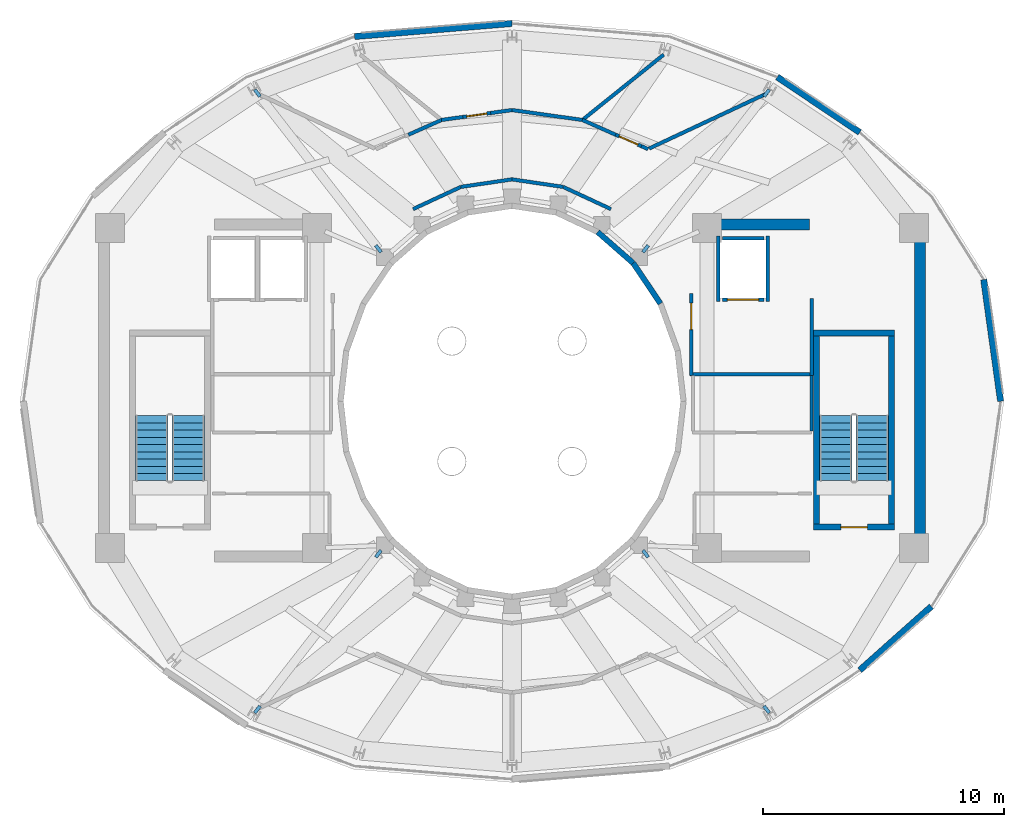
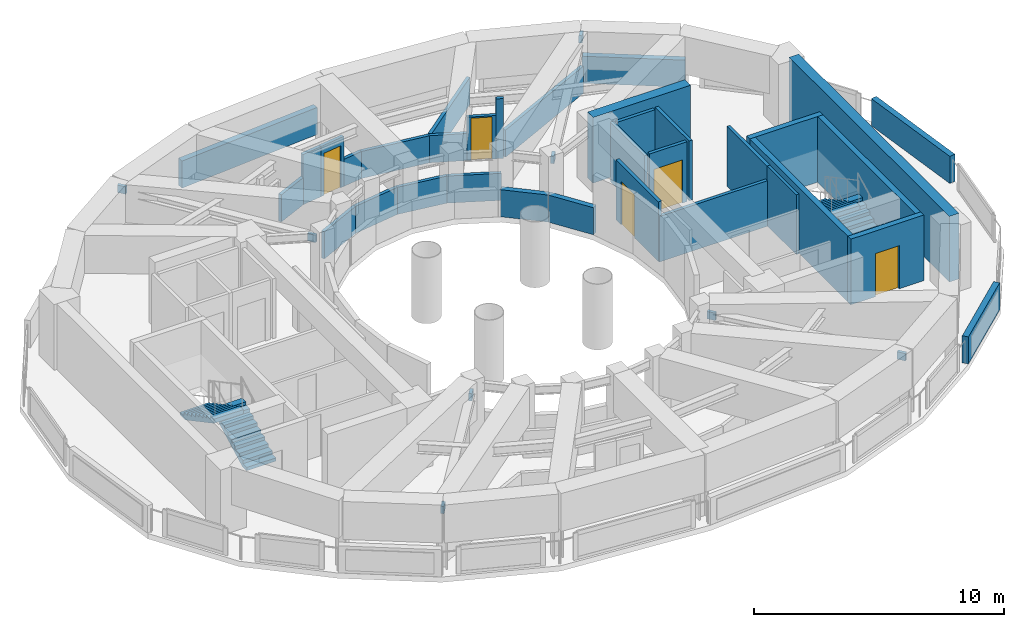
# One storey, part 14 of 17: 34 walls, 8 discrete accessories, 5 doors, 4 stair flights, 5 openings, 2 elements without a shape of their own.
"""IFC4 building model written with IfcOpenShell, lengths in metres."""

from ifc_helpers import new_model, si_unit, direction, frame, frame_2d, origin, origin_2d, place, context, subcontext, project, spatial, polyline, rectangle, outline, extrude, material, layer, layer_set, type_object, element, fill, aggregate, save


model = new_model("IFC4")

# Units and contexts
model_context = context("Model", 3, precision=1e-05, world=origin(), true_north=direction((0.0, 1.0)))
body_context = subcontext(model_context, "Body", "Model", "MODEL_VIEW")
ifc_project = project(units=[si_unit("LENGTHUNIT", "METRE"), si_unit("AREAUNIT", "SQUARE_METRE"), si_unit("VOLUMEUNIT", "CUBIC_METRE"), si_unit("PLANEANGLEUNIT", "RADIAN"), si_unit("MASSUNIT", "GRAM", prefix="KILO")], contexts=[model_context])

# Site, building, storey
site_placement = place(None, origin())
site = spatial("IfcSite", under=ifc_project, at=site_placement, CompositionType="ELEMENT")
building_placement = place(site_placement, origin())
building = spatial("IfcBuilding", under=site, at=building_placement, Name="Solvane Sanctuary Tower", CompositionType="ELEMENT")
storey_placement = place(building_placement, frame((0.0, 0.0, 273.199951171875)))
storey = spatial("IfcBuildingStorey", under=building, at=storey_placement, Name="L83", CompositionType="ELEMENT", Elevation=273.199951171875)

# Walls
ifc_material_1 = material(Name="Concrete C50/60", Category="concrete")
ifc_layer_1 = layer(ifc_material_1, 0.449951171875, Name="Concrete C50/60")
ifc_layer_set_1 = layer_set([ifc_layer_1], Name="Concrete C50/60")
wall_type_1 = type_object("IfcWallType", Name="Wall W-CORE-450", PredefinedType="SHEAR", material=ifc_layer_set_1)
wall_1_placement = place(storey_placement, frame((48.949951171875, 17.050048828125, 0.0), z_axis=(0.0, 0.0, 1.0), x_axis=(0.0, 1.0, 0.0)))
element("IfcWall", 1, at=wall_1_placement, inside=storey, type_object=wall_type_1, Name="L83 Core Shear Wall EC-E", PredefinedType="SHEAR", context=body_context, shape_type="SweptSolid", body=[
    extrude(rectangle(XDim=12.800048828125, YDim=0.449951171875, at=frame_2d((6.39990234375, 0.0))), origin(), (0.0, 0.0, 1.0), 3.199951171875),
])
wall_2_placement = place(storey_placement, frame((39.85009765625, 30.35009765625, 0.0), z_axis=(0.0, 0.0, 1.0), x_axis=(1.0, 0.0, 0.0)))
element("IfcWall", 2, at=wall_2_placement, inside=storey, type_object=wall_type_1, Name="L83 Core Shear Wall EC-N", PredefinedType="SHEAR", context=body_context, shape_type="SweptSolid", body=[
    extrude(rectangle(XDim=4.5, YDim=0.449951171875, at=frame_2d((2.25, 0.0))), origin(), (0.0, 0.0, 1.0), 3.199951171875),
])
ifc_material_2 = material(Name="Acoustic Gypsum Partition Board")
ifc_layer_2 = layer(ifc_material_2, 0.14990234375, Name="Acoustic Gypsum Partition Board")
ifc_layer_set_2 = layer_set([ifc_layer_2], Name="Acoustic Gypsum Partition Board")
wall_type_2 = type_object("IfcWallType", Name="Wall W-CORR-150", PredefinedType="PARTITIONING", material=ifc_layer_set_2)
wall_3_placement = place(storey_placement, frame((39.39990234375, 24.1201171875, 0.0), z_axis=(0.0, 0.0, 1.0), x_axis=(1.0, 0.0, 0.0)))
element("IfcWall", 3, at=wall_3_placement, inside=storey, type_object=wall_type_2, Name="L83 East Firefighting Lobby South Wall", PredefinedType="PARTITIONING", context=body_context, shape_type="SweptSolid", body=[
    extrude(rectangle(XDim=5.080078125, YDim=0.14990234375, at=frame_2d((2.5400390625, 0.0))), origin(), (0.0, 0.0, 1.0), 2.219970703125),
])
wall_4_placement = place(storey_placement, frame((44.449951171875, 24.080078125, 0.0), z_axis=(0.0, 0.0, 1.0), x_axis=(0.0, 1.0, 0.0)))
element("IfcWall", 4, at=wall_4_placement, inside=storey, type_object=wall_type_2, Name="L83 East Firefighting Lobby East Wall", PredefinedType="PARTITIONING", context=body_context, shape_type="SweptSolid", body=[
    extrude(rectangle(XDim=3.199951171875, YDim=0.14990234375, at=frame_2d((1.60009765625, 0.0))), origin(), (0.0, 0.0, 1.0), 2.9150390625),
])

# Wall, opening, door
wall_5_placement = place(storey_placement, frame((39.449951171875, 24.080078125, 0.0), z_axis=(0.0, 0.0, 1.0), x_axis=(0.0, 1.0, 0.0)))
wall_5 = element("IfcWall", 5, at=wall_5_placement, inside=storey, type_object=wall_type_2, Name="L83 East Firefighting Lobby West Wall", PredefinedType="PARTITIONING", context=body_context, shape_type="SweptSolid", body=[
    extrude(rectangle(XDim=3.39990234375, YDim=0.14990234375, at=frame_2d((1.699951171875, 0.0))), origin(), (0.0, 0.0, 1.0), 2.9150390625),
])
opening_1_placement = place(wall_5_placement, frame((1.893798828125, 0.0, 0.0)))
opening_1 = element("IfcOpeningElement", 6, at=opening_1_placement, cuts=wall_5, Name="Opening D-L83-04", PredefinedType="OPENING", context=body_context, shape_type="SweptSolid", body=[
    extrude(rectangle(XDim=1.10009765625, YDim=2.10009765625, at=frame_2d((0.550048828125, 1.050048828125))), frame((0.0, 0.0849609375, 0.0), z_axis=(0.0, -1.0, 0.0), x_axis=(1.0, 0.0, 0.0)), (0.0, 0.0, 1.0), 0.169921875),
])
ifc_material_3 = material(Name="Architectural Stainless Steel 316", Category="steel")
door_type_1 = type_object("IfcDoorType", Name="Door D-FFL", OperationType="NOTDEFINED", PredefinedType="DOOR", material=ifc_material_3)
door_1_placement = place(opening_1_placement, origin())
door_1 = element("IfcDoor", 7, at=door_1_placement, inside=storey, type_object=door_type_1, Name="L83 East Firefighting Lobby Fire Door", OperationType="SINGLE_SWING_RIGHT", OverallHeight=2.10009765625, OverallWidth=1.10009765625, PredefinedType="DOOR", context=body_context, shape_type="SweptSolid", body=[
    extrude(rectangle(XDim=1.10009765625, YDim=2.10009765625, at=frame_2d((0.550048828125, 1.050048828125))), frame((0.0, 0.02490234375, 0.0), z_axis=(0.0, -1.0, 0.0), x_axis=(1.0, 0.0, 0.0)), (0.0, 0.0, 1.0), 0.050048828125),
])
fill(opening_1, door_1)

# Walls
wall_6_placement = place(storey_placement, frame((36.110107421875, 30.98486328125, 0.0), z_axis=(0.0, 0.0, 1.0), x_axis=(-0.906943449489, 0.421252393975, 0.0)))
element("IfcWall", 8, at=wall_6_placement, inside=storey, type_object=wall_type_2, Name="L83 Light-Well Corridor Rim Wall N1", PredefinedType="PARTITIONING", context=body_context, shape_type="SweptSolid", body=[
    extrude(rectangle(XDim=2.18603515625, YDim=0.14990234375, at=frame_2d((1.093017578125, 0.0))), origin(), (0.0, 0.0, 1.0), 1.320068359375),
])
for number, where, z_axis, x_axis, name in (
    (9, (34.12744140625, 31.90576171875, 0.0), (0.0, 0.0, 1.0), (-0.989268584896, 0.146108408166, 0.0), "L83 Light-Well Corridor Rim Wall N2"),
    (10, (32.0, 32.219970703125, 0.0), (0.0, 0.0, 1.0), (-0.989268584896, -0.146108408166, 0.0), "L83 Light-Well Corridor Rim Wall N3"),
):
    element("IfcWall", number, at=place(storey_placement, frame(where, z_axis=z_axis, x_axis=x_axis)), inside=storey, type_object=wall_type_2, Name=name, PredefinedType="PARTITIONING", context=body_context, shape_type="SweptSolid", body=[
        extrude(rectangle(XDim=2.150634765625, YDim=0.14990234375, at=frame_2d((1.0751953125, 0.0))), origin(), (0.0, 0.0, 1.0), 1.320068359375),
    ])
wall_7_placement = place(storey_placement, frame((29.87255859375, 31.90576171875, 0.0), z_axis=(0.0, 0.0, 1.0), x_axis=(-0.906943449489, -0.421252393975, 0.0)))
element("IfcWall", 11, at=wall_7_placement, inside=storey, type_object=wall_type_2, Name="L83 Light-Well Corridor Rim Wall N4", PredefinedType="PARTITIONING", context=body_context, shape_type="SweptSolid", body=[
    extrude(rectangle(XDim=2.18603515625, YDim=0.14990234375, at=frame_2d((1.093017578125, 0.0))), origin(), (0.0, 0.0, 1.0), 1.320068359375),
])
wall_8_placement = place(storey_placement, frame((37.69970703125, 33.502197265625, 0.0), z_axis=(0.0, 0.0, 1.0), x_axis=(0.90567955352, 0.423962906793, 0.0)))
element("IfcWall", 12, at=wall_8_placement, inside=storey, type_object=wall_type_2, Name="L83 Mechanical Plant Radial Wall 060", PredefinedType="PARTITIONING", context=body_context, shape_type="SweptSolid", body=[
    extrude(rectangle(XDim=5.41943359375, YDim=0.14990234375, at=frame_2d((2.709716796875, 0.0))), origin(), (0.0, 0.0, 1.0), 1.320068359375),
])
wall_9_placement = place(storey_placement, frame((34.967529296875, 34.72216796875, 0.0), z_axis=(0.0, 0.0, 1.0), x_axis=(0.779602997629, 0.62627403434, 0.0)))
element("IfcWall", 13, at=wall_9_placement, inside=storey, type_object=wall_type_2, Name="L83 Mechanical Plant Radial Wall 075", PredefinedType="PARTITIONING", context=body_context, shape_type="SweptSolid", body=[
    extrude(rectangle(XDim=4.27685546875, YDim=0.14990234375, at=frame_2d((2.138427734375, 0.0))), origin(), (0.0, 0.0, 1.0), 1.320068359375),
])
wall_10_placement = place(storey_placement, frame((37.65673828125, 33.474609375, 0.0), z_axis=(0.0, 0.0, 1.0), x_axis=(-0.914008261485, 0.405695572983, 0.0)))
element("IfcWall", 14, at=wall_10_placement, inside=storey, type_object=wall_type_2, Name="L83 Plant Corridor Wall 1", PredefinedType="PARTITIONING", context=body_context, shape_type="SweptSolid", body=[
    extrude(rectangle(XDim=0.306884765625, YDim=0.14990234375, at=frame_2d((0.1533203125, 0.0))), origin(), (0.0, 0.0, 1.0), 2.9150390625),
])

# Wall, opening, door
wall_11_placement = place(storey_placement, frame((37.376220703125, 33.59912109375, 0.0), z_axis=(0.0, 0.0, 1.0), x_axis=(-0.91409532601, 0.40549936494, 0.0)))
wall_11 = element("IfcWall", 15, at=wall_11_placement, inside=storey, type_object=wall_type_2, Name="L83 Plant Corridor Wall 1", PredefinedType="PARTITIONING", context=body_context, shape_type="SweptSolid", body=[
    extrude(rectangle(XDim=1.169921875, YDim=0.14990234375, at=frame_2d((0.5849609375, 0.0))), origin(), (0.0, 0.0, 1.0), 2.110107421875),
])
opening_2_placement = place(wall_11_placement, frame((0.159912109375, 0.0, 0.0)))
opening_2 = element("IfcOpeningElement", 16, at=opening_2_placement, cuts=wall_11, Name="Opening D-L83-09", PredefinedType="OPENING", context=body_context, shape_type="SweptSolid", body=[
    extrude(rectangle(XDim=0.85009765625, YDim=2.050048828125, at=frame_2d((0.425048828125, 1.02490234375))), frame((0.0, 0.0849609375, 0.0), z_axis=(0.0, -1.0, 0.0), x_axis=(1.0, 0.0, 0.0)), (0.0, 0.0, 1.0), 0.169921875),
])
door_type_2 = type_object("IfcDoorType", Name="Door D-RISER", OperationType="NOTDEFINED", PredefinedType="DOOR", material=ifc_material_3)
door_2_placement = place(opening_2_placement, origin())
door_2 = element("IfcDoor", 17, at=door_2_placement, inside=storey, type_object=door_type_2, Name="L83 Plant Room Door 1", OperationType="SINGLE_SWING_LEFT", OverallHeight=2.050048828125, OverallWidth=0.85009765625, PredefinedType="DOOR", context=body_context, shape_type="SweptSolid", body=[
    extrude(rectangle(XDim=0.85009765625, YDim=2.050048828125, at=frame_2d((0.425048828125, 1.02490234375))), frame((0.0, 0.02490234375, 0.0), z_axis=(0.0, -1.0, 0.0), x_axis=(1.0, 0.0, 0.0)), (0.0, 0.0, 1.0), 0.050048828125),
])
fill(opening_2, door_2)

# Walls
wall_12_placement = place(storey_placement, frame((36.306884765625, 34.073486328125, 0.0), z_axis=(0.0, 0.0, 1.0), x_axis=(-0.914122487323, 0.405438131124, 0.0)))
element("IfcWall", 18, at=wall_12_placement, inside=storey, type_object=wall_type_2, Name="L83 Plant Corridor Wall 1", PredefinedType="PARTITIONING", context=body_context, shape_type="SweptSolid", body=[
    extrude(rectangle(XDim=1.5205078125, YDim=0.14990234375, at=frame_2d((0.76025390625, 0.0))), origin(), (0.0, 0.0, 1.0), 1.320068359375),
])
wall_13_placement = place(storey_placement, frame((34.932373046875, 34.685546875, 0.0), z_axis=(0.0, 0.0, 1.0), x_axis=(-0.990167445312, 0.139887205436, 0.0)))
element("IfcWall", 19, at=wall_13_placement, inside=storey, type_object=wall_type_2, Name="L83 Plant Corridor Wall 2", PredefinedType="PARTITIONING", context=body_context, shape_type="SweptSolid", body=[
    extrude(rectangle(XDim=2.96337890625, YDim=0.14990234375, at=frame_2d((1.481689453125, 0.0))), origin(), (0.0, 0.0, 1.0), 1.320068359375),
])
wall_14_placement = place(storey_placement, frame((32.001953125, 35.10009765625, 0.0), z_axis=(0.0, 0.0, 1.0), x_axis=(-0.990160729968, -0.139934730603, 0.0)))
element("IfcWall", 20, at=wall_14_placement, inside=storey, type_object=wall_type_2, Name="L83 Plant Corridor Wall 2", PredefinedType="PARTITIONING", context=body_context, shape_type="SweptSolid", body=[
    extrude(rectangle(XDim=0.896728515625, YDim=0.14990234375, at=frame_2d((0.4482421875, 0.0))), origin(), (0.0, 0.0, 1.0), 1.320068359375),
])

# Wall, opening, door
wall_15_placement = place(storey_placement, frame((31.114013671875, 34.974609375, 0.0), z_axis=(0.0, 0.0, 1.0), x_axis=(-0.990148825647, -0.140018938253, 0.0)))
wall_15 = element("IfcWall", 21, at=wall_15_placement, inside=storey, type_object=wall_type_2, Name="L83 Plant Corridor Wall 2", PredefinedType="PARTITIONING", context=body_context, shape_type="SweptSolid", body=[
    extrude(rectangle(XDim=1.169921875, YDim=0.14990234375, at=frame_2d((0.5849609375, 0.0))), origin(), (0.0, 0.0, 1.0), 2.445068359375),
])
opening_3_placement = place(wall_15_placement, frame((0.159912109375, 0.0, 0.0)))
opening_3 = element("IfcOpeningElement", 22, at=opening_3_placement, cuts=wall_15, Name="Opening D-L83-10", PredefinedType="OPENING", context=body_context, shape_type="SweptSolid", body=[
    extrude(rectangle(XDim=0.85009765625, YDim=2.050048828125, at=frame_2d((0.425048828125, 1.02490234375))), frame((0.0, 0.0849609375, 0.0), z_axis=(0.0, -1.0, 0.0), x_axis=(1.0, 0.0, 0.0)), (0.0, 0.0, 1.0), 0.169921875),
])
door_3_placement = place(opening_3_placement, origin())
door_3 = element("IfcDoor", 23, at=door_3_placement, inside=storey, type_object=door_type_2, Name="L83 Plant Room Door 2", OperationType="SINGLE_SWING_RIGHT", OverallHeight=2.050048828125, OverallWidth=0.85009765625, PredefinedType="DOOR", context=body_context, shape_type="SweptSolid", body=[
    extrude(rectangle(XDim=0.85009765625, YDim=2.050048828125, at=frame_2d((0.425048828125, 1.02490234375))), frame((0.0, 0.02490234375, 0.0), z_axis=(0.0, -1.0, 0.0), x_axis=(1.0, 0.0, 0.0)), (0.0, 0.0, 1.0), 0.050048828125),
])
fill(opening_3, door_3)

# Walls
wall_16_placement = place(storey_placement, frame((29.95556640625, 34.810791015625, 0.0), z_axis=(0.0, 0.0, 1.0), x_axis=(-0.99019841733, -0.13966779986, 0.0)))
element("IfcWall", 24, at=wall_16_placement, inside=storey, type_object=wall_type_2, Name="L83 Plant Corridor Wall 2", PredefinedType="PARTITIONING", context=body_context, shape_type="SweptSolid", body=[
    extrude(rectangle(XDim=0.896728515625, YDim=0.14990234375, at=frame_2d((0.4482421875, 0.0))), origin(), (0.0, 0.0, 1.0), 2.445068359375),
])
wall_17_placement = place(storey_placement, frame((29.0830078125, 34.68994140625, 0.0), z_axis=(0.0, 0.0, 1.0), x_axis=(-0.914122487323, -0.405438131124, 0.0)))
element("IfcWall", 25, at=wall_17_placement, inside=storey, type_object=wall_type_2, Name="L83 Plant Corridor Wall 3", PredefinedType="PARTITIONING", context=body_context, shape_type="SweptSolid", body=[
    extrude(rectangle(XDim=1.5205078125, YDim=0.14990234375, at=frame_2d((0.76025390625, 0.0))), origin(), (0.0, 0.0, 1.0), 1.320068359375),
])
ifc_material_4 = material(Name="Precast concrete C40/50", Category="concrete")
ifc_layer_3 = layer(ifc_material_4, 0.260009765625, Name="Precast concrete C40/50")
ifc_layer_set_3 = layer_set([ifc_layer_3], Name="Precast concrete C40/50")
wall_type_3 = type_object("IfcWallType", Name="Wall W-EXT-250", PredefinedType="STANDARD", material=ifc_layer_set_3)
wall_18_placement = place(storey_placement, frame((52.300048828125, 23.0, 0.0), z_axis=(0.0, 0.0, 1.0), x_axis=(-0.13738982753, 0.990517054518, 0.0)))
element("IfcWall", 26, at=wall_18_placement, inside=storey, type_object=wall_type_3, Name="L83 Crown Acoustic Louvred Wall 00", PredefinedType="STANDARD", context=body_context, shape_type="SweptSolid", body=[
    extrude(rectangle(XDim=5.105224609375, YDim=0.260009765625, at=frame_2d((2.552734375, 0.0))), origin(), (0.0, 0.0, 1.0), 1.320068359375),
])
wall_19_placement = place(storey_placement, frame((46.447509765625, 34.1708984375, 0.0), z_axis=(0.0, 0.0, 1.0), x_axis=(-0.830169869245, 0.557510527432, 0.0)))
element("IfcWall", 27, at=wall_19_placement, inside=storey, type_object=wall_type_3, Name="L83 Crown Acoustic Louvred Wall 03", PredefinedType="STANDARD", context=body_context, shape_type="SweptSolid", body=[
    extrude(rectangle(XDim=4.125244140625, YDim=0.260009765625, at=frame_2d((2.0625, 0.0))), origin(), (0.0, 0.0, 1.0), 1.320068359375),
])
wall_20_placement = place(storey_placement, frame((32.0, 38.696044921875, 0.0), z_axis=(0.0, 0.0, 1.0), x_axis=(-0.996580817631, -0.082623688677, 0.0)))
element("IfcWall", 28, at=wall_20_placement, inside=storey, type_object=wall_type_3, Name="L83 Crown Acoustic Louvred Wall 06", PredefinedType="STANDARD", context=body_context, shape_type="SweptSolid", body=[
    extrude(rectangle(XDim=6.562744140625, YDim=0.260009765625, at=frame_2d((3.28125, 0.0))), origin(), (0.0, 0.0, 1.0), 1.320068359375),
])
wall_21_placement = place(storey_placement, frame((46.447509765625, 11.8291015625, 0.0), z_axis=(0.0, 0.0, 1.0), x_axis=(0.746928837667, 0.664903986649, 0.0)))
element("IfcWall", 29, at=wall_21_placement, inside=storey, type_object=wall_type_3, Name="L83 Crown Acoustic Louvred Wall 21", PredefinedType="STANDARD", context=body_context, shape_type="SweptSolid", body=[
    extrude(rectangle(XDim=3.982421875, YDim=0.260009765625, at=frame_2d((1.9912109375, 0.0))), origin(), (0.0, 0.0, 1.0), 1.320068359375),
])
ifc_layer_4 = layer(ifc_material_4, 0.22998046875, Name="Precast concrete C40/50")
ifc_layer_set_4 = layer_set([ifc_layer_4], Name="Precast concrete C40/50")
wall_type_4 = type_object("IfcWallType", Name="Wall W-EXT-SP220", PredefinedType="STANDARD", material=ifc_layer_set_4)
wall_22_placement = place(storey_placement, frame((38.166015625, 27.06005859375, 0.0), z_axis=(0.0, 0.0, 1.0), x_axis=(-0.558197800898, 0.829707909492, 0.0)))
element("IfcWall", 30, at=wall_22_placement, inside=storey, type_object=wall_type_4, Name="L83 Central Light-Well Wall 02", PredefinedType="STANDARD", context=body_context, shape_type="SweptSolid", body=[
    extrude(rectangle(XDim=2.02685546875, YDim=0.22998046875, at=frame_2d((1.013427734375, 0.0))), origin(), (0.0, 0.0, 1.0), 1.320068359375),
])
wall_23_placement = place(storey_placement, frame((37.03466796875, 28.74169921875, 0.0), z_axis=(0.0, 0.0, 1.0), x_axis=(-0.752576694707, 0.658504607869, 0.0)))
element("IfcWall", 31, at=wall_23_placement, inside=storey, type_object=wall_type_4, Name="L83 Central Light-Well Wall 03", PredefinedType="STANDARD", context=body_context, shape_type="SweptSolid", body=[
    extrude(rectangle(XDim=1.95947265625, YDim=0.22998046875, at=frame_2d((0.979736328125, 0.0))), origin(), (0.0, 0.0, 1.0), 1.320068359375),
])
ifc_layer_5 = layer(ifc_material_2, 0.125, Name="Acoustic Gypsum Partition Board")
ifc_layer_set_5 = layer_set([ifc_layer_5], Name="Acoustic Gypsum Partition Board")
wall_type_5 = type_object("IfcWallType", Name="Wall W-PART-125", PredefinedType="PARTITIONING", material=ifc_layer_set_5)
wall_24_placement = place(storey_placement, frame((44.449951171875, 21.760009765625, 0.0), z_axis=(0.0, 0.0, 1.0), x_axis=(0.0, 1.0, 0.0)))
element("IfcWall", 32, at=wall_24_placement, inside=storey, type_object=wall_type_5, Name="L83 Reclaimed Room Closer Wall PME-2", PredefinedType="PARTITIONING", context=body_context, shape_type="SweptSolid", body=[
    extrude(rectangle(XDim=2.320068359375, YDim=0.125, at=frame_2d((1.16015625, 0.0))), origin(), (0.0, 0.0, 1.0), 2.9150390625),
])

# Wall, opening, door
ifc_layer_6 = layer(ifc_material_1, 0.14990234375, Name="Concrete C50/60")
ifc_layer_set_6 = layer_set([ifc_layer_6], Name="Concrete C50/60")
wall_type_6 = type_object("IfcWallType", Name="Wall W-SHAFT-150", PredefinedType="SOLIDWALL", material=ifc_layer_set_6)
wall_25_placement = place(storey_placement, frame((40.739990234375, 27.219970703125, 0.0), z_axis=(0.0, 0.0, 1.0), x_axis=(1.0, 0.0, 0.0)))
wall_25 = element("IfcWall", 33, at=wall_25_placement, inside=storey, type_object=wall_type_6, Name="L83 FFL-2 Lift Shaft Wall F", PredefinedType="SOLIDWALL", context=body_context, shape_type="SweptSolid", body=[
    extrude(rectangle(XDim=1.719970703125, YDim=0.14990234375, at=frame_2d((0.85986328125, 0.0))), origin(), (0.0, 0.0, 1.0), 2.9150390625),
])
opening_4_placement = place(wall_25_placement, frame((0.2099609375, 0.0, 0.0)))
opening_4 = element("IfcOpeningElement", 34, at=opening_4_placement, cuts=wall_25, Name="Opening LD-L83-03", PredefinedType="OPENING", context=body_context, shape_type="SweptSolid", body=[
    extrude(rectangle(XDim=1.300048828125, YDim=2.10009765625, at=frame_2d((0.64990234375, 1.050048828125))), frame((0.0, 0.0849609375, 0.0), z_axis=(0.0, -1.0, 0.0), x_axis=(1.0, 0.0, 0.0)), (0.0, 0.0, 1.0), 0.169921875),
])
door_type_3 = type_object("IfcDoorType", Name="Door LD-FFL-1300", OperationType="NOTDEFINED", PredefinedType="DOOR", material=ifc_material_3)
door_4_placement = place(opening_4_placement, origin())
door_4 = element("IfcDoor", 35, at=door_4_placement, inside=storey, type_object=door_type_3, Name="L83 FFL-2 Lift Landing Door", OperationType="DOUBLE_DOOR_SLIDING", OverallHeight=2.10009765625, OverallWidth=1.300048828125, PredefinedType="DOOR", context=body_context, shape_type="SweptSolid", body=[
    extrude(rectangle(XDim=1.300048828125, YDim=2.10009765625, at=frame_2d((0.64990234375, 1.050048828125))), frame((0.0, 0.02490234375, 0.0), z_axis=(0.0, -1.0, 0.0), x_axis=(1.0, 0.0, 0.0)), (0.0, 0.0, 1.0), 0.050048828125),
])
fill(opening_4, door_4)

# Walls
wall_26_placement = place(storey_placement, frame((40.739990234375, 29.780029296875, 0.0), z_axis=(0.0, 0.0, 1.0), x_axis=(1.0, 0.0, 0.0)))
element("IfcWall", 36, at=wall_26_placement, inside=storey, type_object=wall_type_6, Name="L83 FFL-2 Lift Shaft Wall B", PredefinedType="SOLIDWALL", context=body_context, shape_type="SweptSolid", body=[
    extrude(rectangle(XDim=1.719970703125, YDim=0.14990234375, at=frame_2d((0.85986328125, 0.0))), origin(), (0.0, 0.0, 1.0), 2.9150390625),
])
for number, where, z_axis, x_axis, name in (
    (37, (40.570068359375, 27.139892578125, 0.0), (0.0, 0.0, 1.0), (0.0, 1.0, 0.0), "L83 FFL-2 Lift Shaft Wall S1"),
    (38, (42.6298828125, 27.139892578125, 0.0), (0.0, 0.0, 1.0), (0.0, 1.0, 0.0), "L83 FFL-2 Lift Shaft Wall S2"),
):
    element("IfcWall", number, at=place(storey_placement, frame(where, z_axis=z_axis, x_axis=x_axis)), inside=storey, type_object=wall_type_6, Name=name, PredefinedType="SOLIDWALL", context=body_context, shape_type="SweptSolid", body=[
        extrude(rectangle(XDim=2.72021484375, YDim=0.14990234375, at=frame_2d((1.360107421875, 0.0))), origin(), (0.0, 0.0, 1.0), 2.9150390625),
    ])

# Wall, opening, door
ifc_layer_7 = layer(ifc_material_1, 0.25, Name="Concrete C50/60")
ifc_layer_set_7 = layer_set([ifc_layer_7], Name="Concrete C50/60")
wall_type_7 = type_object("IfcWallType", Name="Wall W-SHAFT-250", PredefinedType="SOLIDWALL", material=ifc_layer_set_7)
wall_27_placement = place(storey_placement, frame((44.52490234375, 17.77001953125, 0.0), z_axis=(0.0, 0.0, 1.0), x_axis=(1.0, 0.0, 0.0)))
wall_27 = element("IfcWall", 39, at=wall_27_placement, inside=storey, type_object=wall_type_7, Name="L83 ST-2 Load-Bearing Shaft Wall S", PredefinedType="SOLIDWALL", context=body_context, shape_type="SweptSolid", body=[
    extrude(rectangle(XDim=3.3701171875, YDim=0.25, at=frame_2d((1.68505859375, 0.0))), origin(), (0.0, 0.0, 1.0), 3.199951171875),
])
opening_5_placement = place(wall_27_placement, frame((1.135009765625, 0.0, 0.0)))
opening_5 = element("IfcOpeningElement", 40, at=opening_5_placement, cuts=wall_27, Name="Opening D-L83-02", PredefinedType="OPENING", context=body_context, shape_type="SweptSolid", body=[
    extrude(rectangle(XDim=1.10009765625, YDim=2.10009765625, at=frame_2d((0.550048828125, 1.050048828125))), frame((0.0, 0.135009765625, 0.0), z_axis=(0.0, -1.0, 0.0), x_axis=(1.0, 0.0, 0.0)), (0.0, 0.0, 1.0), 0.27001953125),
])
door_type_4 = type_object("IfcDoorType", Name="Door D-STAIR", OperationType="NOTDEFINED", PredefinedType="DOOR", material=ifc_material_3)
door_5_placement = place(opening_5_placement, origin())
door_5 = element("IfcDoor", 41, at=door_5_placement, inside=storey, type_object=door_type_4, Name="L83 ST-2 Exit Stair Fire Door", OperationType="SINGLE_SWING_RIGHT", OverallHeight=2.10009765625, OverallWidth=1.10009765625, PredefinedType="DOOR", context=body_context, shape_type="SweptSolid", body=[
    extrude(rectangle(XDim=1.10009765625, YDim=2.10009765625, at=frame_2d((0.550048828125, 1.050048828125))), frame((0.0, 0.02490234375, 0.0), z_axis=(0.0, -1.0, 0.0), x_axis=(1.0, 0.0, 0.0)), (0.0, 0.0, 1.0), 0.050048828125),
])
fill(opening_5, door_5)

# Walls
wall_28_placement = place(storey_placement, frame((44.52490234375, 25.830078125, 0.0), z_axis=(0.0, 0.0, 1.0), x_axis=(1.0, 0.0, 0.0)))
element("IfcWall", 42, at=wall_28_placement, inside=storey, type_object=wall_type_7, Name="L83 ST-2 Load-Bearing Shaft Wall N", PredefinedType="SOLIDWALL", context=body_context, shape_type="SweptSolid", body=[
    extrude(rectangle(XDim=3.3701171875, YDim=0.25, at=frame_2d((1.68505859375, 0.0))), origin(), (0.0, 0.0, 1.0), 3.199951171875),
])
for number, where, z_axis, x_axis, name in (
    (43, (44.64990234375, 17.89501953125, 0.0), (0.0, 0.0, 1.0), (0.0, 1.0, 0.0), "L83 ST-2 Load-Bearing Shaft Wall W"),
    (44, (47.77001953125, 17.89501953125, 0.0), (0.0, 0.0, 1.0), (0.0, 1.0, 0.0), "L83 ST-2 Load-Bearing Shaft Wall E"),
):
    element("IfcWall", number, at=place(storey_placement, frame(where, z_axis=z_axis, x_axis=x_axis)), inside=storey, type_object=wall_type_7, Name=name, PredefinedType="SOLIDWALL", context=body_context, shape_type="SweptSolid", body=[
        extrude(rectangle(XDim=7.81005859375, YDim=0.25, at=frame_2d((3.905029296875, 0.0))), origin(), (0.0, 0.0, 1.0), 3.199951171875),
    ])

# Stair, stair flights
ifc_material_5 = material(Name="Concrete C45/55", Category="concrete")
stair_type = type_object("IfcStairType", Name="Stair ST-TOW", PredefinedType="HALF_TURN_STAIR", material=ifc_material_5)
stair_1_placement = place(storey_placement, origin())
stair_1 = element("IfcStair", 45, at=stair_1_placement, inside=storey, type_object=stair_type, Name="L83 Exit Stair ST-1 West Core", PredefinedType="HALF_TURN_STAIR")
stair_flight_type = type_object("IfcStairFlightType", Name="StairFlight SF-TOW", PredefinedType="STRAIGHT", material=ifc_material_5)
stair_flight_1_placement = place(storey_placement, frame((18.544921875, 19.699951171875, 0.0), z_axis=(0.0, 0.0, 1.0), x_axis=(0.0, 1.0, 0.0)))
stair_flight_1 = element("IfcStairFlight", 46, at=stair_flight_1_placement, type_object=stair_flight_type, Name="ST-1 flight 1", NumberOfRisers=10, NumberOfTreads=9, PredefinedType="STRAIGHT", RiserHeight=0.16, TreadLength=0.3, context=body_context, shape_type="SweptSolid", body=[
    extrude(outline(polyline([(0.0, 0.0), (0.0, 0.159912109375), (0.300048828125, 0.159912109375), (0.300048828125, 0.320068359375), (0.60009765625, 0.320068359375), (0.60009765625, 0.47998046875), (0.89990234375, 0.47998046875), (0.89990234375, 0.639892578125), (1.199951171875, 0.639892578125), (1.199951171875, 0.800048828125), (1.5, 0.800048828125), (1.5, 0.9599609375), (1.800048828125, 0.9599609375), (1.800048828125, 1.1201171875), (2.10009765625, 1.1201171875), (2.10009765625, 1.280029296875), (2.39990234375, 1.280029296875), (2.39990234375, 1.43994140625), (2.699951171875, 1.43994140625), (2.699951171875, 1.60009765625), (2.699951171875, 1.236083984375), (0.38232421875, 0.0), (0.0, 0.0)])), frame((0.0, 0.675048828125, 0.0), z_axis=(0.0, -1.0, 0.0), x_axis=(1.0, 0.0, 0.0)), (0.0, 0.0, 1.0), 1.35009765625),
])
stair_flight_2_placement = place(storey_placement, frame((17.034912109375, 22.39990234375, 1.60009765625), z_axis=(0.0, 0.0, 1.0), x_axis=(0.0, -1.0, 0.0)))
stair_flight_2 = element("IfcStairFlight", 47, at=stair_flight_2_placement, type_object=stair_flight_type, Name="ST-1 flight 2", NumberOfRisers=10, NumberOfTreads=9, PredefinedType="STRAIGHT", RiserHeight=0.16, TreadLength=0.3, context=body_context, shape_type="SweptSolid", body=[
    extrude(outline(polyline([(0.0, 0.0), (0.0, 0.159912109375), (0.300048828125, 0.159912109375), (0.300048828125, 0.320068359375), (0.60009765625, 0.320068359375), (0.60009765625, 0.47998046875), (0.89990234375, 0.47998046875), (0.89990234375, 0.639892578125), (1.199951171875, 0.639892578125), (1.199951171875, 0.800048828125), (1.5, 0.800048828125), (1.5, 0.9599609375), (1.800048828125, 0.9599609375), (1.800048828125, 1.1201171875), (2.10009765625, 1.1201171875), (2.10009765625, 1.280029296875), (2.39990234375, 1.280029296875), (2.39990234375, 1.43994140625), (2.699951171875, 1.43994140625), (2.699951171875, 1.60009765625), (2.699951171875, 1.236083984375), (0.38232421875, 0.0), (0.0, 0.0)])), frame((0.0, 0.675048828125, 0.0), z_axis=(0.0, -1.0, 0.0), x_axis=(1.0, 0.0, 0.0)), (0.0, 0.0, 1.0), 1.35009765625),
])
aggregate(stair_1, [stair_flight_1, stair_flight_2])

stair_2_placement = place(storey_placement, origin())
stair_2 = element("IfcStair", 48, at=stair_2_placement, inside=storey, type_object=stair_type, Name="L83 Exit Stair ST-2 East Core", PredefinedType="HALF_TURN_STAIR")
stair_flight_3_placement = place(storey_placement, frame((46.965087890625, 19.699951171875, 0.0), z_axis=(0.0, 0.0, 1.0), x_axis=(0.0, 1.0, 0.0)))
stair_flight_3 = element("IfcStairFlight", 49, at=stair_flight_3_placement, type_object=stair_flight_type, Name="ST-2 flight 1", NumberOfRisers=10, NumberOfTreads=9, PredefinedType="STRAIGHT", RiserHeight=0.16, TreadLength=0.3, context=body_context, shape_type="SweptSolid", body=[
    extrude(outline(polyline([(0.0, 0.0), (0.0, 0.159912109375), (0.300048828125, 0.159912109375), (0.300048828125, 0.320068359375), (0.60009765625, 0.320068359375), (0.60009765625, 0.47998046875), (0.89990234375, 0.47998046875), (0.89990234375, 0.639892578125), (1.199951171875, 0.639892578125), (1.199951171875, 0.800048828125), (1.5, 0.800048828125), (1.5, 0.9599609375), (1.800048828125, 0.9599609375), (1.800048828125, 1.1201171875), (2.10009765625, 1.1201171875), (2.10009765625, 1.280029296875), (2.39990234375, 1.280029296875), (2.39990234375, 1.43994140625), (2.699951171875, 1.43994140625), (2.699951171875, 1.60009765625), (2.699951171875, 1.236083984375), (0.38232421875, 0.0), (0.0, 0.0)])), frame((0.0, 0.675048828125, 0.0), z_axis=(0.0, -1.0, 0.0), x_axis=(1.0, 0.0, 0.0)), (0.0, 0.0, 1.0), 1.35009765625),
])
stair_flight_4_placement = place(storey_placement, frame((45.455078125, 22.39990234375, 1.60009765625), z_axis=(0.0, 0.0, 1.0), x_axis=(0.0, -1.0, 0.0)))
stair_flight_4 = element("IfcStairFlight", 50, at=stair_flight_4_placement, type_object=stair_flight_type, Name="ST-2 flight 2", NumberOfRisers=10, NumberOfTreads=9, PredefinedType="STRAIGHT", RiserHeight=0.16, TreadLength=0.3, context=body_context, shape_type="SweptSolid", body=[
    extrude(outline(polyline([(0.0, 0.0), (0.0, 0.159912109375), (0.300048828125, 0.159912109375), (0.300048828125, 0.320068359375), (0.60009765625, 0.320068359375), (0.60009765625, 0.47998046875), (0.89990234375, 0.47998046875), (0.89990234375, 0.639892578125), (1.199951171875, 0.639892578125), (1.199951171875, 0.800048828125), (1.5, 0.800048828125), (1.5, 0.9599609375), (1.800048828125, 0.9599609375), (1.800048828125, 1.1201171875), (2.10009765625, 1.1201171875), (2.10009765625, 1.280029296875), (2.39990234375, 1.280029296875), (2.39990234375, 1.43994140625), (2.699951171875, 1.43994140625), (2.699951171875, 1.60009765625), (2.699951171875, 1.236083984375), (0.38232421875, 0.0), (0.0, 0.0)])), frame((0.0, 0.675048828125, 0.0), z_axis=(0.0, -1.0, 0.0), x_axis=(1.0, 0.0, 0.0)), (0.0, 0.0, 1.0), 1.35009765625),
])
aggregate(stair_2, [stair_flight_3, stair_flight_4])

# Discrete accessories
ifc_material_6 = material(Name="Steel ASTM A572 Grade 50", Category="steel")
ifc_layer_8 = layer(ifc_material_6, 0.360107421875, Name="Steel ASTM A572 Grade 50")
ifc_layer_set_8 = layer_set([ifc_layer_8], Name="Steel ASTM A572 Grade 50")
discrete_accessory_type = type_object("IfcDiscreteAccessoryType", Name="Accessory ACC-GUSSET-BRK", PredefinedType="BRACKET", material=ifc_layer_set_8)
for number, where, z_axis, x_axis, name in (
    (51, (37.550048828125, 29.3359375, 2.3603515625), (0.0, 0.0, 1.0), (0.613596360516, 0.78961984927, 0.0), "L83 Crown Bracing Tie 01 End Gusset Bracket A"),
    (52, (42.577392578125, 35.804931640625, 2.5546875), (0.0, 0.0, 1.0), (0.613596360516, 0.78961984927, 0.0), "L83 Crown Bracing Tie 01 End Gusset Bracket B"),
    (53, (26.449951171875, 29.3359375, 2.3603515625), (0.0, 0.0, 1.0), (-0.613596360516, 0.78961984927, 0.0), "L83 Crown Bracing Tie 07 End Gusset Bracket A"),
    (54, (21.422607421875, 35.804931640625, 2.5546875), (0.0, 0.0, 1.0), (-0.613596360516, 0.78961984927, 0.0), "L83 Crown Bracing Tie 07 End Gusset Bracket B"),
    (55, (26.449951171875, 16.6640625, 2.3603515625), (0.0, 0.0, 1.0), (-0.613596360516, -0.78961984927, 0.0), "L83 Crown Bracing Tie 08 End Gusset Bracket A"),
    (56, (21.422607421875, 10.195068359375, 2.5546875), (0.0, 0.0, 1.0), (-0.613596360516, -0.78961984927, 0.0), "L83 Crown Bracing Tie 08 End Gusset Bracket B"),
    (57, (37.550048828125, 16.6640625, 2.3603515625), (0.0, 0.0, 1.0), (0.613596360516, -0.78961984927, 0.0), "L83 Crown Bracing Tie 14 End Gusset Bracket A"),
    (58, (42.577392578125, 10.195068359375, 2.5546875), (0.0, 0.0, 1.0), (0.613596360516, -0.78961984927, 0.0), "L83 Crown Bracing Tie 14 End Gusset Bracket B"),
):
    element("IfcDiscreteAccessory", number, at=place(storey_placement, frame(where, z_axis=z_axis, x_axis=x_axis)), inside=storey, type_object=discrete_accessory_type, Name=name, PredefinedType="BRACKET", context=body_context, shape_type="SweptSolid", body=[
        extrude(rectangle(XDim=0.360107421875, YDim=0.139892578125, at=origin_2d()), origin(), (0.0, 0.0, 1.0), 0.360107421875),
    ])

save(model, "model.ifc")
